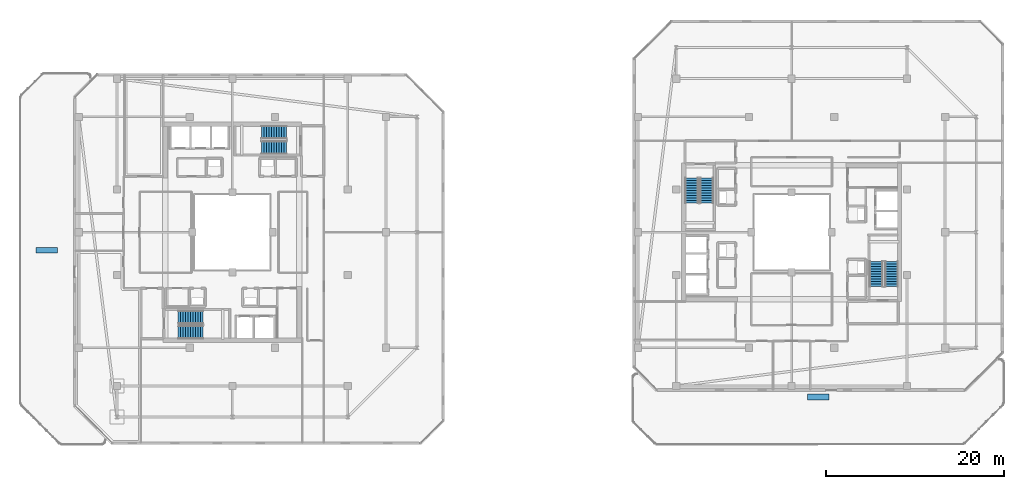
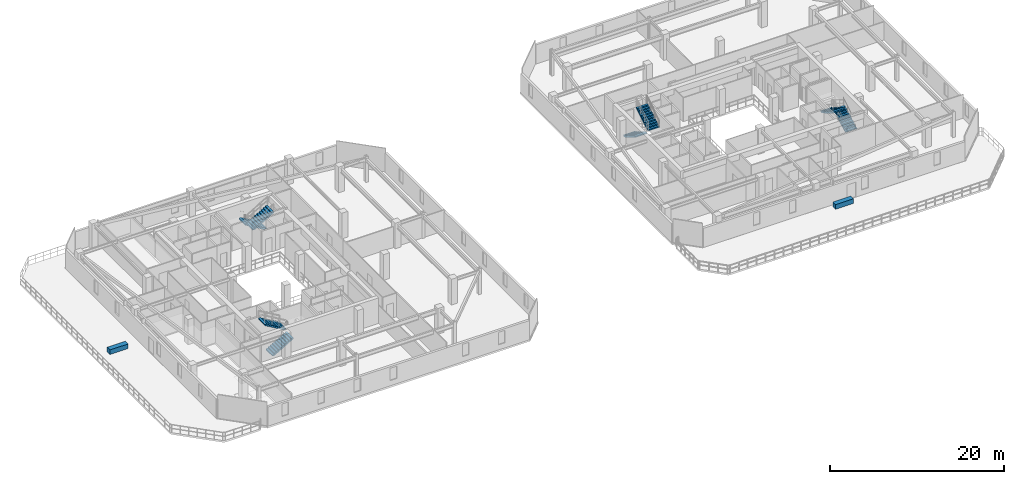
# One storey, part 26 of 31: 8 stair flights, 2 discrete accessories, 4 elements without a shape of their own.
"""IFC4 building model written with IfcOpenShell, lengths in metres."""

import ifcopenshell
import ifcopenshell.guid

model = None  # the IFC model being written
_history = None  # IfcOwnerHistory: only IFC2X3 demands one
_inside = {}  # id of a spatial element -> (the spatial element, [elements in it])
_under = {}  # id of a project, library or spatial element -> (it, [spatial elements below it])
_declared = {}  # id of a project -> (the project, [libraries it declares])
_typed = {}  # id of a type object -> (the type object, [elements of that type])
_made_of = {}  # id of a material, layer set ... -> (it, [elements and type objects made of it])


def new_model(schema):
    """Start an empty IFC model of exactly this schema.

    Asked for "IFC4X3", IfcOpenShell would pick the latest addendum, in which some entities
    have other attributes; the version numbers below select the first issue.
    IFC2X3 requires an IfcOwnerHistory on every rooted entity: one is made here for all.
    """
    global model, _history
    if schema == "IFC4X3":
        model = ifcopenshell.file(schema_version=(4, 3, 0, 0))
    else:
        model = ifcopenshell.file(schema=schema)
    _inside.clear()
    _under.clear()
    _declared.clear()
    _typed.clear()
    _made_of.clear()
    _history = None
    if model.schema == "IFC2X3":
        org = make("IfcOrganization", Name="unknown")
        user = make(
            "IfcPersonAndOrganization",
            ThePerson=make("IfcPerson", FamilyName="unknown"),
            TheOrganization=org,
        )
        app = make(
            "IfcApplication",
            ApplicationDeveloper=org,
            Version="unknown",
            ApplicationFullName="unknown",
            ApplicationIdentifier="unknown",
        )
        _history = make(
            "IfcOwnerHistory",
            OwningUser=user,
            OwningApplication=app,
            ChangeAction="ADDED",
            CreationDate=0,
        )
    return model


def make(cls, **values):
    """One entity of the class cls with the attributes given. An attribute that is None is left unset."""
    return model.create_entity(
        cls, **{name: value for name, value in values.items() if value is not None}
    )


def rooted(cls, **values):
    """An entity with a GlobalId (a new one), such as an element, a storey or a relation."""
    return make(cls, GlobalId=ifcopenshell.guid.new(), OwnerHistory=_history, **values)


def si_unit(unit_type, name, prefix=None):
    """IfcSIUnit, for example si_unit("LENGTHUNIT", "METRE", prefix="MILLI")."""
    return make("IfcSIUnit", UnitType=unit_type, Prefix=prefix, Name=name)


def assignment(units):
    """IfcUnitAssignment: the units of a project."""
    return None if units is None else make("IfcUnitAssignment", Units=units)


def point(xyz):
    """IfcCartesianPoint."""
    return None if xyz is None else make("IfcCartesianPoint", Coordinates=xyz)


def direction(xyz):
    """IfcDirection."""
    return None if xyz is None else make("IfcDirection", DirectionRatios=xyz)


def frame(location, z_axis=None, x_axis=None):
    """IfcAxis2Placement3D, a coordinate frame: its origin and axes. An axis left out is left unset."""
    return make(
        "IfcAxis2Placement3D",
        Location=point(location),
        Axis=direction(z_axis),
        RefDirection=direction(x_axis),
    )


def frame_2d(location, x_axis=None):
    """IfcAxis2Placement2D, a coordinate frame in the plane: its origin and x axis."""
    return make(
        "IfcAxis2Placement2D", Location=point(location), RefDirection=direction(x_axis)
    )


def origin():
    """The frame at (0, 0, 0) with its axes left unset."""
    return frame((0.0, 0.0, 0.0))


def origin_2d():
    """The frame at (0, 0) in the plane with its x axis left unset."""
    return frame_2d((0.0, 0.0))


def place(relative_to, where):
    """IfcLocalPlacement: puts the frame where relative to a parent placement (None: the world)."""
    return make(
        "IfcLocalPlacement", PlacementRelTo=relative_to, RelativePlacement=where
    )


def context(
    kind, dimensions, precision=None, world=None, true_north=None, identifier=None
):
    """IfcGeometricRepresentationContext, for example the 3D "Model" context."""
    return make(
        "IfcGeometricRepresentationContext",
        ContextIdentifier=identifier,
        ContextType=kind,
        CoordinateSpaceDimension=dimensions,
        Precision=precision,
        WorldCoordinateSystem=world,
        TrueNorth=true_north,
    )


def subcontext(parent, identifier, kind, view, scale=None):
    """IfcGeometricRepresentationSubContext, for example "Body" below "Model"."""
    return make(
        "IfcGeometricRepresentationSubContext",
        ContextIdentifier=identifier,
        ContextType=kind,
        ParentContext=parent,
        TargetScale=scale,
        TargetView=view,
    )


def project(units=None, contexts=None):
    """IfcProject with its units and contexts."""
    return rooted(
        "IfcProject",
        Name="project",
        RepresentationContexts=contexts,
        UnitsInContext=assignment(units),
    )


def spatial(cls, under=None, at=None, **own):
    """A site, building, storey or space (cls), placed at a placement, below another one or the project."""
    s = rooted(cls, ObjectPlacement=at, **own)
    if under is not None:
        _under.setdefault(under.id(), (under, []))[1].append(s)
    return s


def polyline(points):
    """IfcPolyline through the points."""
    return make("IfcPolyline", Points=[point(p) for p in points])


def profile(cls, at=None, kind="AREA", **sizes):
    """A parametric profile (cls). Its sizes go by their IFC names, for example OverallWidth=200.0."""
    return make(cls, ProfileType=kind, Position=at, **sizes)


def rectangle(**sizes):
    """IfcRectangleProfileDef."""
    return profile("IfcRectangleProfileDef", **sizes)


def outline(outer, holes=None, kind="AREA"):
    """IfcArbitraryClosedProfileDef: a profile drawn as a closed curve; with holes, ...WithVoids."""
    if holes is None:
        return make("IfcArbitraryClosedProfileDef", ProfileType=kind, OuterCurve=outer)
    return make(
        "IfcArbitraryProfileDefWithVoids",
        ProfileType=kind,
        OuterCurve=outer,
        InnerCurves=holes,
    )


def extrude(swept, where, along, depth):
    """IfcExtrudedAreaSolid: the profile swept, set in the frame where, extruded along a direction by depth."""
    return make(
        "IfcExtrudedAreaSolid",
        SweptArea=swept,
        Position=where,
        ExtrudedDirection=direction(along),
        Depth=depth,
    )


def shape(context_of_items, identifier, shape_type, items):
    """IfcShapeRepresentation: the items that make up one representation, for example the "Body"."""
    return make(
        "IfcShapeRepresentation",
        ContextOfItems=context_of_items,
        RepresentationIdentifier=identifier,
        RepresentationType=shape_type,
        Items=items,
    )


def material(Name=None, Category=None):
    """IfcMaterial."""
    return make("IfcMaterial", Name=Name, Category=Category)


def made_of(thing, what):
    """Note that an element or type object is made of a material, layer set ...; save() writes the relation."""
    if what is not None:
        _made_of.setdefault(what.id(), (what, []))[1].append(thing)
    return thing


def type_object(cls, material=None, **own):
    """A type object (cls), such as IfcWallType, which elements share."""
    return made_of(rooted(cls, **own), material)


def element(
    cls,
    number,
    at=None,
    inside=None,
    cuts=None,
    type_object=None,
    material=None,
    context=None,
    identifier="Body",
    shape_type=None,
    held_by="IfcProductDefinitionShape",
    body=None,
    shapes=None,
    **own,
):
    """One element of the class cls, such as IfcWall. Its Tag is "e" and its number.

    at: its placement. inside: the storey or other place that contains it. cuts: it is an
    opening in that element (IfcRelVoidsElement). A single representation is given by context,
    identifier, shape_type and body (its items); several are given by shapes. held_by: the class
    of the entity that holds the representations. save() writes the other relations.
    """
    e = rooted(cls, Tag="e%d" % number, ObjectPlacement=at, **own)
    if body is not None:
        shapes = [shape(context, identifier, shape_type, body)]
    if shapes is not None:
        e.Representation = make(held_by, Representations=shapes)
    if inside is not None:
        _inside.setdefault(inside.id(), (inside, []))[1].append(e)
    if cuts is not None:
        rooted(
            "IfcRelVoidsElement", RelatingBuildingElement=cuts, RelatedOpeningElement=e
        )
    if type_object is not None:
        _typed.setdefault(type_object.id(), (type_object, []))[1].append(e)
    return made_of(e, material)


def aggregate(whole, parts):
    """IfcRelAggregates: a whole, such as a stair, and the parts it consists of."""
    return rooted("IfcRelAggregates", RelatingObject=whole, RelatedObjects=parts)


def save(model, path):
    """Write the relations noted so far, then the file.

    IfcRelAggregates (storeys below a building ...), IfcRelContainedInSpatialStructure (elements
    in a storey), IfcRelDefinesByType, IfcRelAssociatesMaterial and IfcRelDeclares: one each for
    every whole, place, type object, material and project.
    """
    for whole, parts in _under.values():
        aggregate(whole, parts)
    for where, things in _inside.values():
        rooted(
            "IfcRelContainedInSpatialStructure",
            RelatedElements=things,
            RelatingStructure=where,
        )
    for kind, things in _typed.values():
        rooted("IfcRelDefinesByType", RelatedObjects=things, RelatingType=kind)
    for what, things in _made_of.values():
        rooted("IfcRelAssociatesMaterial", RelatedObjects=things, RelatingMaterial=what)
    for by, libraries in _declared.values():
        rooted("IfcRelDeclares", RelatingContext=by, RelatedDefinitions=libraries)
    model.write(path)


model = new_model("IFC4")

# Units and contexts
model_context = context("Model", 3, precision=1e-05, world=origin(), true_north=direction((0.0, 1.0)))
body_context = subcontext(model_context, "Body", "Model", "MODEL_VIEW")
ifc_project = project(units=[si_unit("LENGTHUNIT", "METRE"), si_unit("AREAUNIT", "SQUARE_METRE"), si_unit("VOLUMEUNIT", "CUBIC_METRE"), si_unit("PLANEANGLEUNIT", "RADIAN"), si_unit("MASSUNIT", "GRAM", prefix="KILO")], contexts=[model_context])

# Site, building, storey
site_placement = place(None, origin())
site = spatial("IfcSite", under=ifc_project, at=site_placement, CompositionType="ELEMENT")
building_placement = place(site_placement, origin())
building = spatial("IfcBuilding", under=site, at=building_placement, Name="Thornwick Lancets Civic Towers", CompositionType="ELEMENT")
storey_placement = place(building_placement, frame((0.0, 0.0, 254.699951171875)))
storey = spatial("IfcBuildingStorey", under=building, at=storey_placement, Name="L68", CompositionType="ELEMENT", Elevation=254.699951171875)

# Stair, stair flights
ifc_material_1 = material(Name="Concrete C40/50", Category="concrete")
stair_type = type_object("IfcStairType", Name="STAIR_DL_3600", PredefinedType="HALF_TURN_STAIR", material=ifc_material_1)
stair_1_placement = place(storey_placement, origin())
stair_1 = element("IfcStair", 1, at=stair_1_placement, inside=storey, type_object=stair_type, Name="L68 Tower A South Exit Stair ST-A1", PredefinedType="HALF_TURN_STAIR")
stair_flight_type = type_object("IfcStairFlightType", Name="FLIGHT_3600", PredefinedType="STRAIGHT", material=ifc_material_1)
stair_flight_1_placement = place(storey_placement, frame((19.39990234375, 15.75, 0.0), z_axis=(0.0, 0.0, 1.0), x_axis=(1.0, 0.0, 0.0)))
stair_flight_1 = element("IfcStairFlight", 2, at=stair_flight_1_placement, type_object=stair_flight_type, Name="ST-A1 flight 1", NumberOfRisers=11, NumberOfTreads=10, PredefinedType="STRAIGHT", RiserHeight=0.163636364, TreadLength=0.28, context=body_context, shape_type="SweptSolid", body=[
    extrude(outline(polyline([(0.0, 0.0), (0.0, 0.16357421875), (0.280029296875, 0.16357421875), (0.280029296875, 0.327392578125), (0.56005859375, 0.327392578125), (0.56005859375, 0.490966796875), (0.840087890625, 0.490966796875), (0.840087890625, 0.654541015625), (1.1201171875, 0.654541015625), (1.1201171875, 0.818115234375), (1.39990234375, 0.818115234375), (1.39990234375, 0.98193359375), (1.679931640625, 0.98193359375), (1.679931640625, 1.1455078125), (1.9599609375, 1.1455078125), (1.9599609375, 1.30908203125), (2.239990234375, 1.30908203125), (2.239990234375, 1.47265625), (2.52001953125, 1.47265625), (2.52001953125, 1.636474609375), (2.800048828125, 1.636474609375), (2.800048828125, 1.800048828125), (2.800048828125, 1.462646484375), (0.297119140625, 0.0), (0.0, 0.0)])), frame((0.0, 0.75, 0.0), z_axis=(0.0, -1.0, 0.0), x_axis=(1.0, 0.0, 0.0)), (0.0, 0.0, 1.0), 1.5),
])
stair_flight_2_placement = place(storey_placement, frame((22.199951171875, 17.449951171875, 1.800048828125), z_axis=(0.0, 0.0, 1.0), x_axis=(-1.0, 0.0, 0.0)))
stair_flight_2 = element("IfcStairFlight", 3, at=stair_flight_2_placement, type_object=stair_flight_type, Name="ST-A1 flight 2", NumberOfRisers=11, NumberOfTreads=10, PredefinedType="STRAIGHT", RiserHeight=0.163636364, TreadLength=0.28, context=body_context, shape_type="SweptSolid", body=[
    extrude(outline(polyline([(0.0, 0.0), (0.0, 0.16357421875), (0.280029296875, 0.16357421875), (0.280029296875, 0.327392578125), (0.56005859375, 0.327392578125), (0.56005859375, 0.490966796875), (0.840087890625, 0.490966796875), (0.840087890625, 0.654541015625), (1.1201171875, 0.654541015625), (1.1201171875, 0.818115234375), (1.39990234375, 0.818115234375), (1.39990234375, 0.98193359375), (1.679931640625, 0.98193359375), (1.679931640625, 1.1455078125), (1.9599609375, 1.1455078125), (1.9599609375, 1.30908203125), (2.239990234375, 1.30908203125), (2.239990234375, 1.47265625), (2.52001953125, 1.47265625), (2.52001953125, 1.636474609375), (2.800048828125, 1.636474609375), (2.800048828125, 1.800048828125), (2.800048828125, 1.462646484375), (0.297119140625, 0.0), (0.0, 0.0)])), frame((0.0, 0.75, 0.0), z_axis=(0.0, -1.0, 0.0), x_axis=(1.0, 0.0, 0.0)), (0.0, 0.0, 1.0), 1.5),
])
aggregate(stair_1, [stair_flight_1, stair_flight_2])

stair_2_placement = place(storey_placement, origin())
stair_2 = element("IfcStair", 4, at=stair_2_placement, inside=storey, type_object=stair_type, Name="L68 Tower A North Exit Stair ST-A2", PredefinedType="HALF_TURN_STAIR")
stair_flight_3_placement = place(storey_placement, frame((31.60009765625, 38.25, 0.0), z_axis=(0.0, 0.0, 1.0), x_axis=(-1.0, 0.0, 0.0)))
stair_flight_3 = element("IfcStairFlight", 5, at=stair_flight_3_placement, type_object=stair_flight_type, Name="ST-A2 flight 1", NumberOfRisers=11, NumberOfTreads=10, PredefinedType="STRAIGHT", RiserHeight=0.163636364, TreadLength=0.28, context=body_context, shape_type="SweptSolid", body=[
    extrude(outline(polyline([(0.0, 0.0), (0.0, 0.16357421875), (0.280029296875, 0.16357421875), (0.280029296875, 0.327392578125), (0.56005859375, 0.327392578125), (0.56005859375, 0.490966796875), (0.840087890625, 0.490966796875), (0.840087890625, 0.654541015625), (1.1201171875, 0.654541015625), (1.1201171875, 0.818115234375), (1.39990234375, 0.818115234375), (1.39990234375, 0.98193359375), (1.679931640625, 0.98193359375), (1.679931640625, 1.1455078125), (1.9599609375, 1.1455078125), (1.9599609375, 1.30908203125), (2.239990234375, 1.30908203125), (2.239990234375, 1.47265625), (2.52001953125, 1.47265625), (2.52001953125, 1.636474609375), (2.800048828125, 1.636474609375), (2.800048828125, 1.800048828125), (2.800048828125, 1.462646484375), (0.297119140625, 0.0), (0.0, 0.0)])), frame((0.0, 0.75, 0.0), z_axis=(0.0, -1.0, 0.0), x_axis=(1.0, 0.0, 0.0)), (0.0, 0.0, 1.0), 1.5),
])
stair_flight_4_placement = place(storey_placement, frame((28.800048828125, 36.550048828125, 1.800048828125), z_axis=(0.0, 0.0, 1.0), x_axis=(1.0, 0.0, 0.0)))
stair_flight_4 = element("IfcStairFlight", 6, at=stair_flight_4_placement, type_object=stair_flight_type, Name="ST-A2 flight 2", NumberOfRisers=11, NumberOfTreads=10, PredefinedType="STRAIGHT", RiserHeight=0.163636364, TreadLength=0.28, context=body_context, shape_type="SweptSolid", body=[
    extrude(outline(polyline([(0.0, 0.0), (0.0, 0.16357421875), (0.280029296875, 0.16357421875), (0.280029296875, 0.327392578125), (0.56005859375, 0.327392578125), (0.56005859375, 0.490966796875), (0.840087890625, 0.490966796875), (0.840087890625, 0.654541015625), (1.1201171875, 0.654541015625), (1.1201171875, 0.818115234375), (1.39990234375, 0.818115234375), (1.39990234375, 0.98193359375), (1.679931640625, 0.98193359375), (1.679931640625, 1.1455078125), (1.9599609375, 1.1455078125), (1.9599609375, 1.30908203125), (2.239990234375, 1.30908203125), (2.239990234375, 1.47265625), (2.52001953125, 1.47265625), (2.52001953125, 1.636474609375), (2.800048828125, 1.636474609375), (2.800048828125, 1.800048828125), (2.800048828125, 1.462646484375), (0.297119140625, 0.0), (0.0, 0.0)])), frame((0.0, 0.75, 0.0), z_axis=(0.0, -1.0, 0.0), x_axis=(1.0, 0.0, 0.0)), (0.0, 0.0, 1.0), 1.5),
])
aggregate(stair_2, [stair_flight_3, stair_flight_4])

stair_3_placement = place(storey_placement, origin())
stair_3 = element("IfcStair", 7, at=stair_3_placement, inside=storey, type_object=stair_type, Name="L68 Tower B East Exit Stair ST-B1", PredefinedType="HALF_TURN_STAIR")
stair_flight_5_placement = place(storey_placement, frame((99.75, 20.89990234375, 0.0), z_axis=(0.0, 0.0, 1.0), x_axis=(0.0, 1.0, 0.0)))
stair_flight_5 = element("IfcStairFlight", 8, at=stair_flight_5_placement, type_object=stair_flight_type, Name="ST-B1 flight 1", NumberOfRisers=11, NumberOfTreads=10, PredefinedType="STRAIGHT", RiserHeight=0.163636364, TreadLength=0.28, context=body_context, shape_type="SweptSolid", body=[
    extrude(outline(polyline([(0.0, 0.0), (0.0, 0.16357421875), (0.280029296875, 0.16357421875), (0.280029296875, 0.327392578125), (0.56005859375, 0.327392578125), (0.56005859375, 0.490966796875), (0.840087890625, 0.490966796875), (0.840087890625, 0.654541015625), (1.1201171875, 0.654541015625), (1.1201171875, 0.818115234375), (1.39990234375, 0.818115234375), (1.39990234375, 0.98193359375), (1.679931640625, 0.98193359375), (1.679931640625, 1.1455078125), (1.9599609375, 1.1455078125), (1.9599609375, 1.30908203125), (2.239990234375, 1.30908203125), (2.239990234375, 1.47265625), (2.52001953125, 1.47265625), (2.52001953125, 1.636474609375), (2.800048828125, 1.636474609375), (2.800048828125, 1.800048828125), (2.800048828125, 1.462646484375), (0.297119140625, 0.0), (0.0, 0.0)])), frame((0.0, 0.75, 0.0), z_axis=(0.0, -1.0, 0.0), x_axis=(1.0, 0.0, 0.0)), (0.0, 0.0, 1.0), 1.5),
])
stair_flight_6_placement = place(storey_placement, frame((98.050048828125, 23.699951171875, 1.800048828125), z_axis=(0.0, 0.0, 1.0), x_axis=(0.0, -1.0, 0.0)))
stair_flight_6 = element("IfcStairFlight", 9, at=stair_flight_6_placement, type_object=stair_flight_type, Name="ST-B1 flight 2", NumberOfRisers=11, NumberOfTreads=10, PredefinedType="STRAIGHT", RiserHeight=0.163636364, TreadLength=0.28, context=body_context, shape_type="SweptSolid", body=[
    extrude(outline(polyline([(0.0, 0.0), (0.0, 0.16357421875), (0.280029296875, 0.16357421875), (0.280029296875, 0.327392578125), (0.56005859375, 0.327392578125), (0.56005859375, 0.490966796875), (0.840087890625, 0.490966796875), (0.840087890625, 0.654541015625), (1.1201171875, 0.654541015625), (1.1201171875, 0.818115234375), (1.39990234375, 0.818115234375), (1.39990234375, 0.98193359375), (1.679931640625, 0.98193359375), (1.679931640625, 1.1455078125), (1.9599609375, 1.1455078125), (1.9599609375, 1.30908203125), (2.239990234375, 1.30908203125), (2.239990234375, 1.47265625), (2.52001953125, 1.47265625), (2.52001953125, 1.636474609375), (2.800048828125, 1.636474609375), (2.800048828125, 1.800048828125), (2.800048828125, 1.462646484375), (0.297119140625, 0.0), (0.0, 0.0)])), frame((0.0, 0.75, 0.0), z_axis=(0.0, -1.0, 0.0), x_axis=(1.0, 0.0, 0.0)), (0.0, 0.0, 1.0), 1.5),
])
aggregate(stair_3, [stair_flight_5, stair_flight_6])

stair_4_placement = place(storey_placement, origin())
stair_4 = element("IfcStair", 10, at=stair_4_placement, inside=storey, type_object=stair_type, Name="L68 Tower B West Exit Stair ST-B2", PredefinedType="HALF_TURN_STAIR")
stair_flight_7_placement = place(storey_placement, frame((77.25, 33.10009765625, 0.0), z_axis=(0.0, 0.0, 1.0), x_axis=(0.0, -1.0, 0.0)))
stair_flight_7 = element("IfcStairFlight", 11, at=stair_flight_7_placement, type_object=stair_flight_type, Name="ST-B2 flight 1", NumberOfRisers=11, NumberOfTreads=10, PredefinedType="STRAIGHT", RiserHeight=0.163636364, TreadLength=0.28, context=body_context, shape_type="SweptSolid", body=[
    extrude(outline(polyline([(0.0, 0.0), (0.0, 0.16357421875), (0.280029296875, 0.16357421875), (0.280029296875, 0.327392578125), (0.56005859375, 0.327392578125), (0.56005859375, 0.490966796875), (0.840087890625, 0.490966796875), (0.840087890625, 0.654541015625), (1.1201171875, 0.654541015625), (1.1201171875, 0.818115234375), (1.39990234375, 0.818115234375), (1.39990234375, 0.98193359375), (1.679931640625, 0.98193359375), (1.679931640625, 1.1455078125), (1.9599609375, 1.1455078125), (1.9599609375, 1.30908203125), (2.239990234375, 1.30908203125), (2.239990234375, 1.47265625), (2.52001953125, 1.47265625), (2.52001953125, 1.636474609375), (2.800048828125, 1.636474609375), (2.800048828125, 1.800048828125), (2.800048828125, 1.462646484375), (0.297119140625, 0.0), (0.0, 0.0)])), frame((0.0, 0.75, 0.0), z_axis=(0.0, -1.0, 0.0), x_axis=(1.0, 0.0, 0.0)), (0.0, 0.0, 1.0), 1.5),
])
stair_flight_8_placement = place(storey_placement, frame((78.949951171875, 30.300048828125, 1.800048828125), z_axis=(0.0, 0.0, 1.0), x_axis=(0.0, 1.0, 0.0)))
stair_flight_8 = element("IfcStairFlight", 12, at=stair_flight_8_placement, type_object=stair_flight_type, Name="ST-B2 flight 2", NumberOfRisers=11, NumberOfTreads=10, PredefinedType="STRAIGHT", RiserHeight=0.163636364, TreadLength=0.28, context=body_context, shape_type="SweptSolid", body=[
    extrude(outline(polyline([(0.0, 0.0), (0.0, 0.16357421875), (0.280029296875, 0.16357421875), (0.280029296875, 0.327392578125), (0.56005859375, 0.327392578125), (0.56005859375, 0.490966796875), (0.840087890625, 0.490966796875), (0.840087890625, 0.654541015625), (1.1201171875, 0.654541015625), (1.1201171875, 0.818115234375), (1.39990234375, 0.818115234375), (1.39990234375, 0.98193359375), (1.679931640625, 0.98193359375), (1.679931640625, 1.1455078125), (1.9599609375, 1.1455078125), (1.9599609375, 1.30908203125), (2.239990234375, 1.30908203125), (2.239990234375, 1.47265625), (2.52001953125, 1.47265625), (2.52001953125, 1.636474609375), (2.800048828125, 1.636474609375), (2.800048828125, 1.800048828125), (2.800048828125, 1.462646484375), (0.297119140625, 0.0), (0.0, 0.0)])), frame((0.0, 0.75, 0.0), z_axis=(0.0, -1.0, 0.0), x_axis=(1.0, 0.0, 0.0)), (0.0, 0.0, 1.0), 1.5),
])
aggregate(stair_4, [stair_flight_7, stair_flight_8])

# Discrete accessories
ifc_material_2 = material(Name="Planted terracotta greenery planter", Category="masonry")
discrete_accessory_type = type_object("IfcDiscreteAccessoryType", Name="ACC_PLANTER_BOX", PredefinedType="USERDEFINED", material=ifc_material_2)
for number, where, z_axis, x_axis, name in (
    (13, (4.590087890625, 24.968994140625, 0.0), (0.0, 0.0, 1.0), (1.0, 0.0, 0.0), "L68 Tower A Sky-Garden Planter 1"),
    (14, (91.5, 8.4521484375, 0.0), (0.0, 0.0, 1.0), (1.0, 0.0, 0.0), "L68 Tower B Sky-Garden Planter 1"),
):
    element("IfcDiscreteAccessory", number, at=place(storey_placement, frame(where, z_axis=z_axis, x_axis=x_axis)), inside=storey, type_object=discrete_accessory_type, Name=name, ObjectType="PLANTER", PredefinedType="USERDEFINED", context=body_context, shape_type="SweptSolid", body=[
        extrude(rectangle(XDim=2.39990234375, YDim=0.64990234375, at=origin_2d()), origin(), (0.0, 0.0, 1.0), 0.64990234375),
    ])

save(model, "model.ifc")
